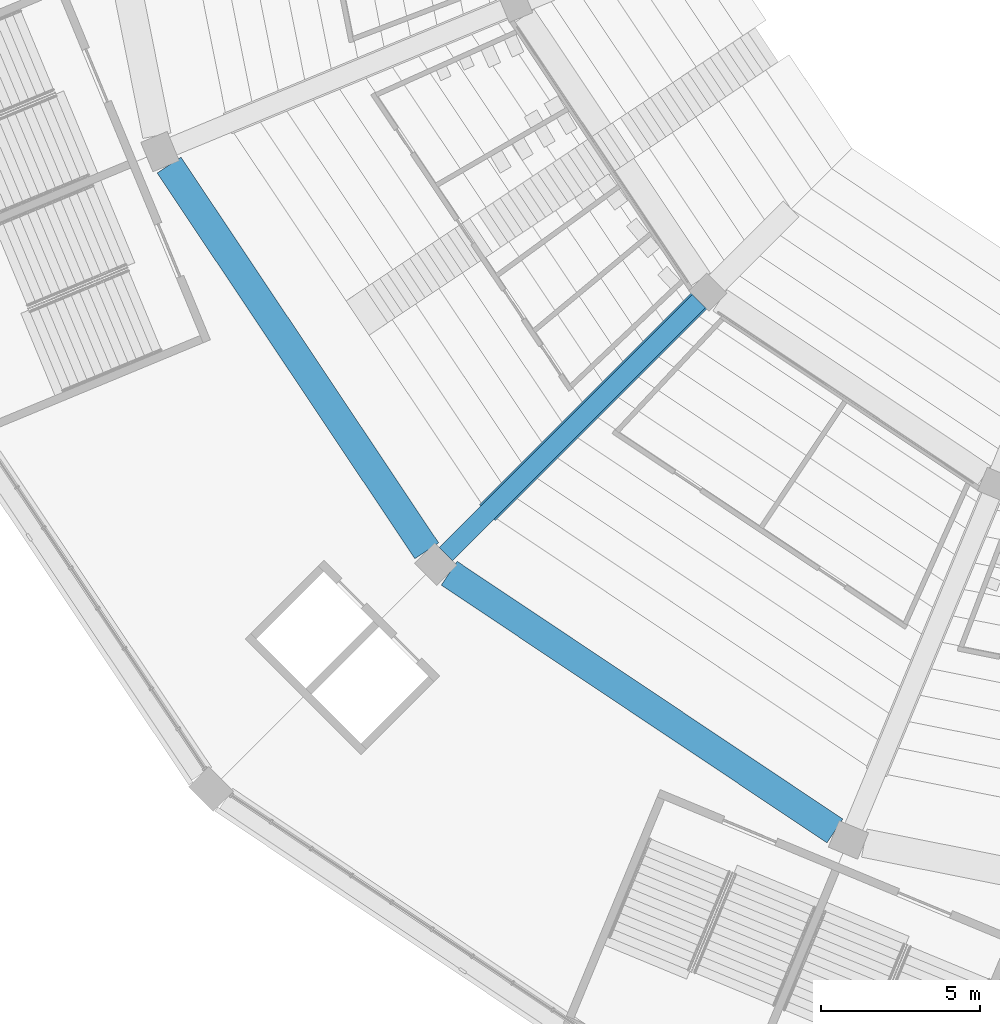
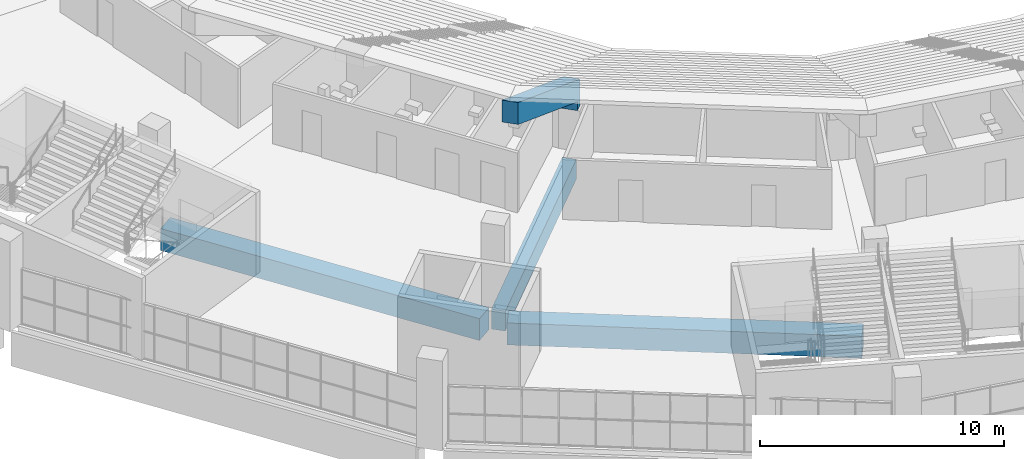
# One storey, part 4 of 249: 4 beams.
"""IFC4 building model written with IfcOpenShell, lengths in metres."""

from ifc_helpers import new_model, si_unit, direction, frame, origin, origin_2d, place, context, subcontext, project, spatial, polyline, rectangle, outline, extrude, material, material_profile, profile_set, type_object, element, save


model = new_model("IFC4")

# Units and contexts
model_context = context("Model", 3, precision=1e-05, world=origin(), true_north=direction((0.0, 1.0)))
body_context = subcontext(model_context, "Body", "Model", "MODEL_VIEW")
ifc_project = project(units=[si_unit("LENGTHUNIT", "METRE"), si_unit("AREAUNIT", "SQUARE_METRE"), si_unit("VOLUMEUNIT", "CUBIC_METRE"), si_unit("PLANEANGLEUNIT", "RADIAN"), si_unit("MASSUNIT", "GRAM", prefix="KILO")], contexts=[model_context])

# Site, building, storey
site_placement = place(None, origin())
site = spatial("IfcSite", under=ifc_project, at=site_placement, CompositionType="ELEMENT")
building_placement = place(site_placement, origin())
building = spatial("IfcBuilding", under=site, at=building_placement, Name="Ogive Plaza Stadium", CompositionType="ELEMENT")
storey_placement = place(building_placement, frame((0.0, 0.0, 13.5)))
storey = spatial("IfcBuildingStorey", under=building, at=storey_placement, Name="L03", CompositionType="ELEMENT", Elevation=13.5)

# Beams
ifc_material_1 = material(Name="Concrete C45/55 precast", Category="concrete")
ifc_material_profile_1 = material_profile(ifc_material_1, rectangle(XDim=0.699951171875, YDim=1.10009765625, at=origin_2d()), Name="RC 700x1100")
ifc_profile_set_1 = profile_set([ifc_material_profile_1], Name="Concrete C45/55 precast")
beam_type_1 = type_object("IfcBeamType", Name="Precast raker UT back-span 700x1100", PredefinedType="USERDEFINED", material=ifc_profile_set_1)
beam_1_placement = place(storey_placement, frame((-34.0, -52.5, -13.5), z_axis=(0.0, 0.0, 1.0), x_axis=(-0.707106781187, -0.707106781187, 0.0)))
element("IfcBeam", 1, at=beam_1_placement, inside=storey, type_object=beam_type_1, Name="RAKER UT BACK-SPAN R19", ObjectType="RAKER", PredefinedType="USERDEFINED", context=body_context, shape_type="SweptSolid", body=[
    extrude(outline(polyline([(27.89990234375, 15.533203125), (28.300048828125, 15.533203125), (28.300048828125, 15.977783203125), (37.699951171875, 21.199951171875), (37.699951171875, 22.300048828125), (27.89990234375, 16.855712890625), (27.89990234375, 15.533203125)])), frame((0.0, 0.35009765625, 0.0), z_axis=(0.0, -1.0, 0.0), x_axis=(1.0, 0.0, 0.0)), (0.0, 0.0, 1.0), 0.699951171875),
])
ifc_material_2 = material(Name="Concrete C40/50", Category="concrete")
ifc_material_profile_2 = material_profile(ifc_material_2, rectangle(XDim=0.60009765625, YDim=1.0, at=origin_2d()), Name="RC 600x1000")
ifc_profile_set_2 = profile_set([ifc_material_profile_2], Name="Concrete C40/50")
beam_type_2 = type_object("IfcBeamType", Name="RC radial beam 600x1000", PredefinedType="BEAM", material=ifc_profile_set_2)
beam_2_placement = place(storey_placement, frame((-54.01123046875, -72.51123046875, -0.909912109375), z_axis=(-0.707106781187, -0.707106781187, 0.0), x_axis=(0.707106781187, -0.707106781187, 0.0)))
element("IfcBeam", 2, at=beam_2_placement, inside=storey, type_object=beam_type_2, Name="Radial beam L03 R19 F3F4", PredefinedType="BEAM", context=body_context, shape_type="SweptSolid", body=[
    extrude(rectangle(XDim=0.60009765625, YDim=1.0, at=origin_2d()), origin(), (0.0, 0.0, 1.0), 11.249755859375),
])
ifc_material_3 = material(Name="Concrete C40/50", Category="concrete")
ifc_material_profile_3 = material_profile(ifc_material_3, rectangle(XDim=0.89990234375, YDim=1.10009765625, at=origin_2d()), Name="RC 900x1100")
ifc_profile_set_3 = profile_set([ifc_material_profile_3], Name="Concrete C40/50")
beam_type_3 = type_object("IfcBeamType", Name="RC ring beam 900x1100", PredefinedType="BEAM", material=ifc_profile_set_3)
for number, where, z_axis, x_axis, name in (
    (3, (-49.731201171875, -89.171875, -0.9599609375), (-0.831467933961, 0.555572744827, 0.0), (-0.555572744827, -0.831467933961, 0.0), "Ring beam F4 L03 B18"),
    (4, (-62.5673828125, -80.3603515625, -0.9599609375), (-0.555572744827, 0.831467933961, 0.0), (-0.831467933961, -0.555572744827, 0.0), "Ring beam F4 L03 B19"),
):
    element("IfcBeam", number, at=place(storey_placement, frame(where, z_axis=z_axis, x_axis=x_axis)), inside=storey, type_object=beam_type_3, Name=name, PredefinedType="BEAM", context=body_context, shape_type="SweptSolid", body=[
        extrude(rectangle(XDim=0.89990234375, YDim=1.10009765625, at=origin_2d()), origin(), (0.0, 0.0, 1.0), 14.587646484375),
    ])

save(model, "model.ifc")
